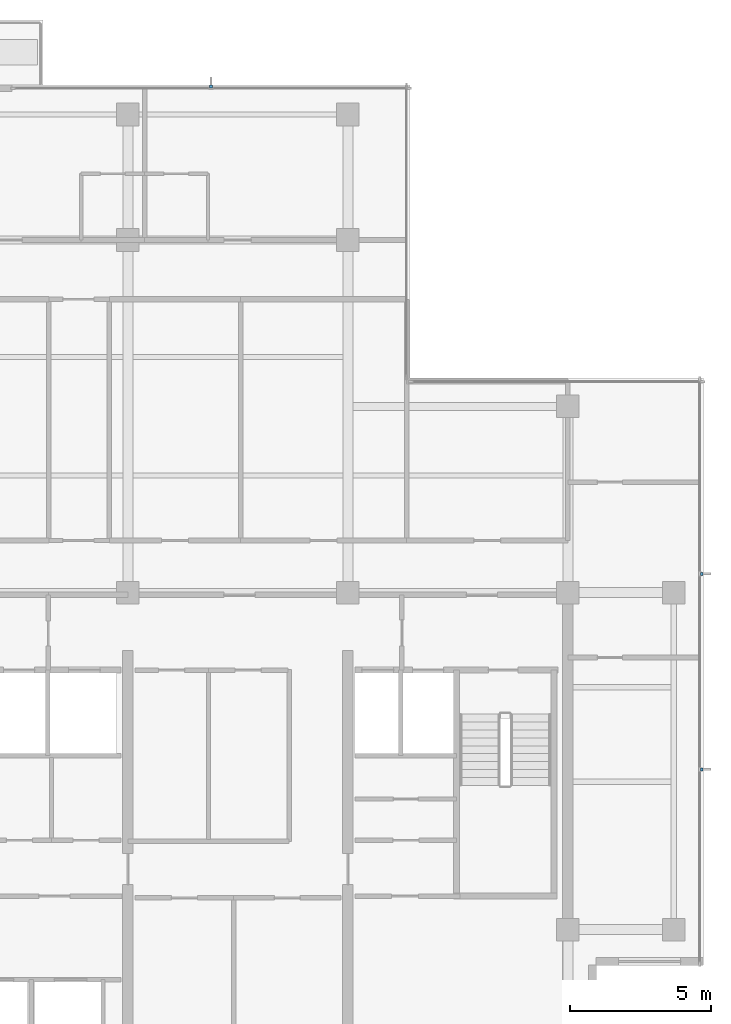
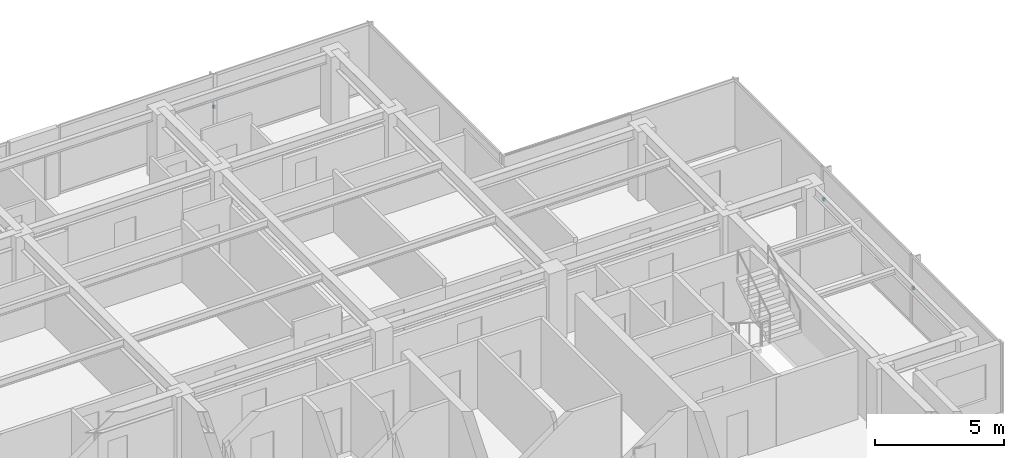
# One storey, part 10 of 11: 3 discrete accessories.
"""IFC4 building model written with IfcOpenShell, lengths in metres."""

from ifc_helpers import new_model, si_unit, direction, frame, origin, place, context, subcontext, project, spatial, polyline, outline, extrude, material, type_object, element, save


model = new_model("IFC4")

# Units and contexts
model_context = context("Model", 3, precision=1e-05, world=origin(), true_north=direction((0.0, 1.0)))
body_context = subcontext(model_context, "Body", "Model", "MODEL_VIEW")
ifc_project = project(units=[si_unit("LENGTHUNIT", "METRE"), si_unit("AREAUNIT", "SQUARE_METRE"), si_unit("VOLUMEUNIT", "CUBIC_METRE"), si_unit("PLANEANGLEUNIT", "RADIAN"), si_unit("MASSUNIT", "GRAM", prefix="KILO")], contexts=[model_context])

# Site, building, storey
site_placement = place(None, origin())
site = spatial("IfcSite", under=ifc_project, at=site_placement, CompositionType="ELEMENT")
building_placement = place(site_placement, origin())
building = spatial("IfcBuilding", under=site, at=building_placement, Name="Qalmaran Belvedere Hotel", CompositionType="ELEMENT")
storey_placement = place(building_placement, frame((0.0, 0.0, 266.89990234375)))
storey = spatial("IfcBuildingStorey", under=building, at=storey_placement, Name="L69", CompositionType="ELEMENT", Elevation=266.89990234375)

# Discrete accessories
ifc_material = material(Name="Stainless Steel 1.4401", Category="steel")
discrete_accessory_type = type_object("IfcDiscreteAccessoryType", Name="BRK-FIN-SS316", PredefinedType="BRACKET", material=ifc_material)
discrete_accessory_1_placement = place(storey_placement, frame((0.0, 0.0, 1.580078125)))
element("IfcDiscreteAccessory", 1, at=discrete_accessory_1_placement, inside=storey, type_object=discrete_accessory_type, Name="L69 Fin Bracket 1", PredefinedType="BRACKET", context=body_context, shape_type="SweptSolid", body=[
    extrude(outline(polyline([(49.4951171875, 14.17822265625), (49.58740234375, 14.17822265625), (49.58740234375, 14.288330078125), (49.4951171875, 14.288330078125), (49.4951171875, 14.17822265625)])), origin(), (0.0, 0.0, 1.0), 0.14013671875),
])
discrete_accessory_2_placement = place(storey_placement, frame((0.0, 0.0, 1.580078125)))
element("IfcDiscreteAccessory", 2, at=discrete_accessory_2_placement, inside=storey, type_object=discrete_accessory_type, Name="L69 Fin Bracket 2", PredefinedType="BRACKET", context=body_context, shape_type="SweptSolid", body=[
    extrude(outline(polyline([(49.4951171875, 21.11181640625), (49.58740234375, 21.11181640625), (49.58740234375, 21.2216796875), (49.4951171875, 21.2216796875), (49.4951171875, 21.11181640625)])), origin(), (0.0, 0.0, 1.0), 0.14013671875),
])
discrete_accessory_3_placement = place(storey_placement, frame((0.0, 0.0, 1.580078125)))
element("IfcDiscreteAccessory", 3, at=discrete_accessory_3_placement, inside=storey, type_object=discrete_accessory_type, Name="L69 Fin Bracket 1", PredefinedType="BRACKET", context=body_context, shape_type="SweptSolid", body=[
    extrude(outline(polyline([(32.205078125, 38.39501953125), (32.205078125, 38.487548828125), (32.094970703125, 38.487548828125), (32.094970703125, 38.39501953125), (32.205078125, 38.39501953125)])), origin(), (0.0, 0.0, 1.0), 0.14013671875),
])

save(model, "model.ifc")
